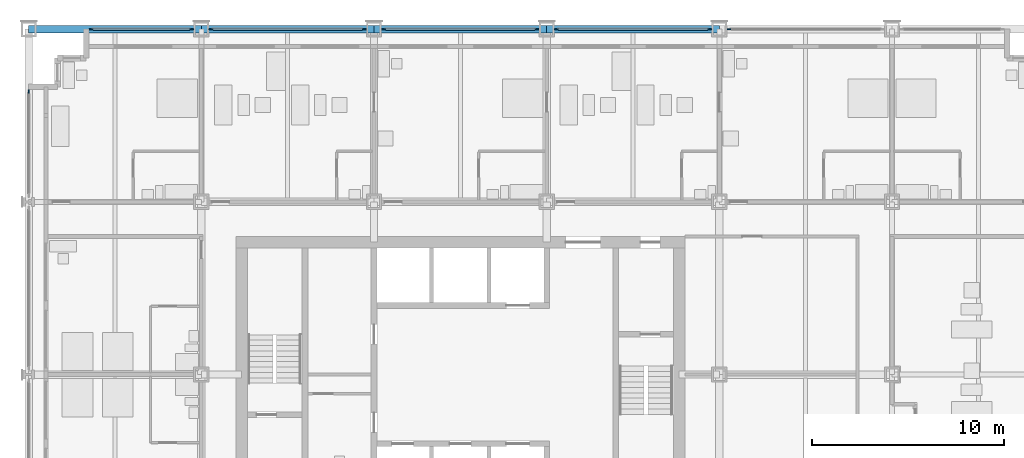
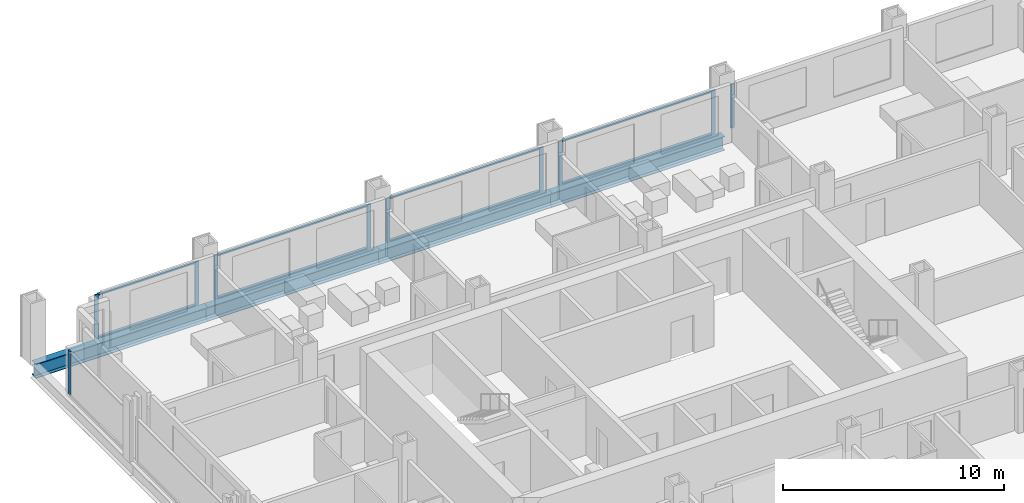
# One storey, part 7 of 18: 18 members, 4 beams, 6 elements without a shape of their own.
"""IFC4 building model written with IfcOpenShell, lengths in metres."""

from ifc_helpers import new_model, si_unit, direction, frame, origin, origin_2d, place, context, subcontext, project, spatial, rectangle, i_section, extrude, material, material_profile, profile_set, type_object, element, aggregate, save


model = new_model("IFC4")

# Units and contexts
model_context = context("Model", 3, precision=1e-05, world=origin(), true_north=direction((0.0, 1.0)))
body_context = subcontext(model_context, "Body", "Model", "MODEL_VIEW")
ifc_project = project(units=[si_unit("LENGTHUNIT", "METRE"), si_unit("AREAUNIT", "SQUARE_METRE"), si_unit("VOLUMEUNIT", "CUBIC_METRE"), si_unit("PLANEANGLEUNIT", "RADIAN"), si_unit("MASSUNIT", "GRAM", prefix="KILO")], contexts=[model_context])

# Site, building, storey
site_placement = place(None, origin())
site = spatial("IfcSite", under=ifc_project, at=site_placement, CompositionType="ELEMENT")
building_placement = place(site_placement, origin())
building = spatial("IfcBuilding", under=site, at=building_placement, Name="Loomwork Tower", CompositionType="ELEMENT")
storey_placement = place(building_placement, frame((0.0, 0.0, 28.0)))
storey = spatial("IfcBuildingStorey", under=building, at=storey_placement, Name="L05", CompositionType="ELEMENT", Elevation=28.0)

# Curtain wall, members
ifc_material_1 = material(Name="Aluminium curtain wall frame", Category="aluminium")
curtain_wall_type = type_object("IfcCurtainWallType", Name="Outer skin glazing hotel", PredefinedType="NOTDEFINED", material=ifc_material_1)
curtain_wall_1_placement = place(storey_placement, origin())
curtain_wall_1 = element("IfcCurtainWall", 1, at=curtain_wall_1_placement, inside=storey, type_object=curtain_wall_type, Name="Outer skin glazing hotel cw/N-0", PredefinedType="NOTDEFINED")
ifc_material_2 = material(Name="Aluminium curtain wall frame", Category="aluminium")
ifc_material_profile_1 = material_profile(ifc_material_2, rectangle(XDim=0.06494140625, YDim=0.199951171875, at=origin_2d()), Name="AL 65x200")
ifc_profile_set_1 = profile_set([ifc_material_profile_1], Name="Aluminium curtain wall frame")
member_type_1 = type_object("IfcMemberType", Name="Outer skin glazing hotel mullion", PredefinedType="MULLION", material=ifc_profile_set_1)
member_1_placement = place(storey_placement, frame((8.5, 36.0, 0.0), z_axis=(0.0, 0.0, 1.0), x_axis=(0.0, -1.0, 0.0)))
member_1 = element("IfcMember", 2, at=member_1_placement, type_object=member_type_1, Name="CW1 mullion 1", PredefinedType="MULLION", context=body_context, shape_type="SweptSolid", body=[
    extrude(rectangle(XDim=0.06494140625, YDim=0.199951171875, at=origin_2d()), origin(), (0.0, 0.0, 1.0), 2.420166015625),
])
member_2_placement = place(storey_placement, frame((3.25, 36.0, 0.0), z_axis=(0.0, 0.0, 1.0), x_axis=(0.0, -1.0, 0.0)))
member_2 = element("IfcMember", 3, at=member_2_placement, type_object=member_type_1, Name="CW1 mullion 2", PredefinedType="MULLION", context=body_context, shape_type="SweptSolid", body=[
    extrude(rectangle(XDim=0.06494140625, YDim=0.199951171875, at=origin_2d()), origin(), (0.0, 0.0, 1.0), 2.420166015625),
])

curtain_wall_2_placement = place(storey_placement, origin())
curtain_wall_2 = element("IfcCurtainWall", 4, at=curtain_wall_2_placement, inside=storey, type_object=curtain_wall_type, Name="Outer skin glazing hotel cw/N-9", PredefinedType="NOTDEFINED")
member_3_placement = place(storey_placement, frame((17.5, 36.0, 0.0), z_axis=(0.0, 0.0, 1.0), x_axis=(0.0, -1.0, 0.0)))
member_3 = element("IfcMember", 5, at=member_3_placement, type_object=member_type_1, Name="CW1 mullion 1", PredefinedType="MULLION", context=body_context, shape_type="SweptSolid", body=[
    extrude(rectangle(XDim=0.06494140625, YDim=0.199951171875, at=origin_2d()), origin(), (0.0, 0.0, 1.0), 2.420166015625),
])
member_4_placement = place(storey_placement, frame((9.5, 36.0, 0.0), z_axis=(0.0, 0.0, 1.0), x_axis=(0.0, -1.0, 0.0)))
member_4 = element("IfcMember", 6, at=member_4_placement, type_object=member_type_1, Name="CW1 mullion 2", PredefinedType="MULLION", context=body_context, shape_type="SweptSolid", body=[
    extrude(rectangle(XDim=0.06494140625, YDim=0.199951171875, at=origin_2d()), origin(), (0.0, 0.0, 1.0), 2.420166015625),
])

curtain_wall_3_placement = place(storey_placement, origin())
curtain_wall_3 = element("IfcCurtainWall", 7, at=curtain_wall_3_placement, inside=storey, type_object=curtain_wall_type, Name="Outer skin glazing hotel cw/N-18", PredefinedType="NOTDEFINED")
member_5_placement = place(storey_placement, frame((26.5, 36.0, 0.0), z_axis=(0.0, 0.0, 1.0), x_axis=(0.0, -1.0, 0.0)))
member_5 = element("IfcMember", 8, at=member_5_placement, type_object=member_type_1, Name="CW1 mullion 1", PredefinedType="MULLION", context=body_context, shape_type="SweptSolid", body=[
    extrude(rectangle(XDim=0.06494140625, YDim=0.199951171875, at=origin_2d()), origin(), (0.0, 0.0, 1.0), 2.420166015625),
])
member_6_placement = place(storey_placement, frame((18.5, 36.0, 0.0), z_axis=(0.0, 0.0, 1.0), x_axis=(0.0, -1.0, 0.0)))
member_6 = element("IfcMember", 9, at=member_6_placement, type_object=member_type_1, Name="CW1 mullion 2", PredefinedType="MULLION", context=body_context, shape_type="SweptSolid", body=[
    extrude(rectangle(XDim=0.06494140625, YDim=0.199951171875, at=origin_2d()), origin(), (0.0, 0.0, 1.0), 2.420166015625),
])

curtain_wall_4_placement = place(storey_placement, origin())
curtain_wall_4 = element("IfcCurtainWall", 10, at=curtain_wall_4_placement, inside=storey, type_object=curtain_wall_type, Name="Outer skin glazing hotel cw/N-27", PredefinedType="NOTDEFINED")
member_7_placement = place(storey_placement, frame((35.5, 36.0, 0.0), z_axis=(0.0, 0.0, 1.0), x_axis=(0.0, -1.0, 0.0)))
member_7 = element("IfcMember", 11, at=member_7_placement, type_object=member_type_1, Name="CW1 mullion 1", PredefinedType="MULLION", context=body_context, shape_type="SweptSolid", body=[
    extrude(rectangle(XDim=0.06494140625, YDim=0.199951171875, at=origin_2d()), origin(), (0.0, 0.0, 1.0), 2.420166015625),
])
member_8_placement = place(storey_placement, frame((27.5, 36.0, 0.0), z_axis=(0.0, 0.0, 1.0), x_axis=(0.0, -1.0, 0.0)))
member_8 = element("IfcMember", 12, at=member_8_placement, type_object=member_type_1, Name="CW1 mullion 2", PredefinedType="MULLION", context=body_context, shape_type="SweptSolid", body=[
    extrude(rectangle(XDim=0.06494140625, YDim=0.199951171875, at=origin_2d()), origin(), (0.0, 0.0, 1.0), 2.420166015625),
])

# Curtain wall, member
curtain_wall_5_placement = place(storey_placement, origin())
curtain_wall_5 = element("IfcCurtainWall", 13, at=curtain_wall_5_placement, inside=storey, type_object=curtain_wall_type, Name="Outer skin glazing hotel cw/N-36", PredefinedType="NOTDEFINED")
member_9_placement = place(storey_placement, frame((36.5, 36.0, 0.0), z_axis=(0.0, 0.0, 1.0), x_axis=(0.0, -1.0, 0.0)))
member_9 = element("IfcMember", 14, at=member_9_placement, type_object=member_type_1, Name="CW1 mullion 2", PredefinedType="MULLION", context=body_context, shape_type="SweptSolid", body=[
    extrude(rectangle(XDim=0.06494140625, YDim=0.199951171875, at=origin_2d()), origin(), (0.0, 0.0, 1.0), 2.420166015625),
])
aggregate(curtain_wall_5, [member_9])

curtain_wall_6_placement = place(storey_placement, origin())
curtain_wall_6 = element("IfcCurtainWall", 15, at=curtain_wall_6_placement, inside=storey, type_object=curtain_wall_type, Name="Outer skin glazing hotel cw/W-27", PredefinedType="NOTDEFINED")
member_10_placement = place(storey_placement, frame((0.0, 32.75, 0.0), z_axis=(0.0, 0.0, 1.0), x_axis=(1.0, 0.0, 0.0)))
member_10 = element("IfcMember", 16, at=member_10_placement, type_object=member_type_1, Name="CW1 mullion 1", PredefinedType="MULLION", context=body_context, shape_type="SweptSolid", body=[
    extrude(rectangle(XDim=0.06494140625, YDim=0.199951171875, at=origin_2d()), origin(), (0.0, 0.0, 1.0), 2.420166015625),
])
aggregate(curtain_wall_6, [member_10])

# Member
ifc_material_3 = material(Name="Aluminium curtain wall frame", Category="aluminium")
ifc_material_profile_2 = material_profile(ifc_material_3, rectangle(XDim=0.14990234375, YDim=0.06494140625, at=origin_2d()), Name="AL 65x150")
ifc_profile_set_2 = profile_set([ifc_material_profile_2], Name="Aluminium curtain wall frame")
member_type_2 = type_object("IfcMemberType", Name="Outer skin glazing hotel transom", PredefinedType="USERDEFINED", material=ifc_profile_set_2)
member_11_placement = place(storey_placement, frame((8.39990234375, 36.0, 0.032470703125), z_axis=(-1.0, 0.0, 0.0), x_axis=(0.0, -1.0, 0.0)))
member_11 = element("IfcMember", 17, at=member_11_placement, type_object=member_type_2, Name="CW1 transom 1.1", ObjectType="TRANSOM", PredefinedType="USERDEFINED", context=body_context, shape_type="SweptSolid", body=[
    extrude(rectangle(XDim=0.14990234375, YDim=0.06494140625, at=origin_2d()), origin(), (0.0, 0.0, 1.0), 5.0498046875),
])

member_12_placement = place(storey_placement, frame((8.39990234375, 36.0, 2.3876953125), z_axis=(-1.0, 0.0, 0.0), x_axis=(0.0, -1.0, 0.0)))
member_12 = element("IfcMember", 18, at=member_12_placement, type_object=member_type_2, Name="CW1 transom 1.2", ObjectType="TRANSOM", PredefinedType="USERDEFINED", context=body_context, shape_type="SweptSolid", body=[
    extrude(rectangle(XDim=0.14990234375, YDim=0.06494140625, at=origin_2d()), origin(), (0.0, 0.0, 1.0), 5.0498046875),
])

aggregate(curtain_wall_1, [member_1, member_2, member_11, member_12])

member_13_placement = place(storey_placement, frame((17.39990234375, 36.0, 0.032470703125), z_axis=(-1.0, 0.0, 0.0), x_axis=(0.0, -1.0, 0.0)))
member_13 = element("IfcMember", 19, at=member_13_placement, type_object=member_type_2, Name="CW1 transom 1.1", ObjectType="TRANSOM", PredefinedType="USERDEFINED", context=body_context, shape_type="SweptSolid", body=[
    extrude(rectangle(XDim=0.14990234375, YDim=0.06494140625, at=origin_2d()), origin(), (0.0, 0.0, 1.0), 7.7998046875),
])

member_14_placement = place(storey_placement, frame((17.39990234375, 36.0, 2.3876953125), z_axis=(-1.0, 0.0, 0.0), x_axis=(0.0, -1.0, 0.0)))
member_14 = element("IfcMember", 20, at=member_14_placement, type_object=member_type_2, Name="CW1 transom 1.2", ObjectType="TRANSOM", PredefinedType="USERDEFINED", context=body_context, shape_type="SweptSolid", body=[
    extrude(rectangle(XDim=0.14990234375, YDim=0.06494140625, at=origin_2d()), origin(), (0.0, 0.0, 1.0), 7.7998046875),
])

aggregate(curtain_wall_2, [member_3, member_4, member_13, member_14])

member_15_placement = place(storey_placement, frame((26.39990234375, 36.0, 0.032470703125), z_axis=(-1.0, 0.0, 0.0), x_axis=(0.0, -1.0, 0.0)))
member_15 = element("IfcMember", 21, at=member_15_placement, type_object=member_type_2, Name="CW1 transom 1.1", ObjectType="TRANSOM", PredefinedType="USERDEFINED", context=body_context, shape_type="SweptSolid", body=[
    extrude(rectangle(XDim=0.14990234375, YDim=0.06494140625, at=origin_2d()), origin(), (0.0, 0.0, 1.0), 7.7998046875),
])

member_16_placement = place(storey_placement, frame((26.39990234375, 36.0, 2.3876953125), z_axis=(-1.0, 0.0, 0.0), x_axis=(0.0, -1.0, 0.0)))
member_16 = element("IfcMember", 22, at=member_16_placement, type_object=member_type_2, Name="CW1 transom 1.2", ObjectType="TRANSOM", PredefinedType="USERDEFINED", context=body_context, shape_type="SweptSolid", body=[
    extrude(rectangle(XDim=0.14990234375, YDim=0.06494140625, at=origin_2d()), origin(), (0.0, 0.0, 1.0), 7.7998046875),
])

aggregate(curtain_wall_3, [member_5, member_6, member_15, member_16])

member_17_placement = place(storey_placement, frame((35.39990234375, 36.0, 0.032470703125), z_axis=(-1.0, 0.0, 0.0), x_axis=(0.0, -1.0, 0.0)))
member_17 = element("IfcMember", 23, at=member_17_placement, type_object=member_type_2, Name="CW1 transom 1.1", ObjectType="TRANSOM", PredefinedType="USERDEFINED", context=body_context, shape_type="SweptSolid", body=[
    extrude(rectangle(XDim=0.14990234375, YDim=0.06494140625, at=origin_2d()), origin(), (0.0, 0.0, 1.0), 7.7998046875),
])

member_18_placement = place(storey_placement, frame((35.39990234375, 36.0, 2.3876953125), z_axis=(-1.0, 0.0, 0.0), x_axis=(0.0, -1.0, 0.0)))
member_18 = element("IfcMember", 24, at=member_18_placement, type_object=member_type_2, Name="CW1 transom 1.2", ObjectType="TRANSOM", PredefinedType="USERDEFINED", context=body_context, shape_type="SweptSolid", body=[
    extrude(rectangle(XDim=0.14990234375, YDim=0.06494140625, at=origin_2d()), origin(), (0.0, 0.0, 1.0), 7.7998046875),
])

aggregate(curtain_wall_4, [member_7, member_8, member_17, member_18])

# Beams
ifc_material_4 = material(Name="Steel ASTM A992", Category="steel")
ifc_material_profile_3 = material_profile(ifc_material_4, i_section(OverallWidth=0.381103515625, OverallDepth=0.77978515625, WebThickness=0.01806640625, FlangeThickness=0.0302734375, at=origin_2d()), Name="W30x191")
ifc_profile_set_3 = profile_set([ifc_material_profile_3], Name="Steel ASTM A992")
beam_type = type_object("IfcBeamType", Name="SPANDREL GIRDER W30x191", PredefinedType="SPANDREL", material=ifc_profile_set_3)
for number, where, z_axis, x_axis, name in (
    (25, (0.0, 36.0, -0.58984375), (1.0, 0.0, 0.0), (0.0, 1.0, 0.0), "Spandrel Girder H/2-H/3 L05"),
    (26, (9.0, 36.0, -0.58984375), (1.0, 0.0, 0.0), (0.0, 1.0, 0.0), "Spandrel Girder H/3-H/4 L05"),
    (27, (18.0, 36.0, -0.58984375), (1.0, 0.0, 0.0), (0.0, 1.0, 0.0), "Spandrel Girder H/4-H/5 L05"),
    (28, (27.0, 36.0, -0.58984375), (1.0, 0.0, 0.0), (0.0, 1.0, 0.0), "Spandrel Girder H/5-H/6 L05"),
):
    element("IfcBeam", number, at=place(storey_placement, frame(where, z_axis=z_axis, x_axis=x_axis)), inside=storey, type_object=beam_type, Name=name, PredefinedType="SPANDREL", context=body_context, shape_type="SweptSolid", body=[
        extrude(i_section(OverallWidth=0.381103515625, OverallDepth=0.77978515625, WebThickness=0.01806640625, FlangeThickness=0.0302734375, at=origin_2d()), origin(), (0.0, 0.0, 1.0), 9.0),
    ])

save(model, "model.ifc")
